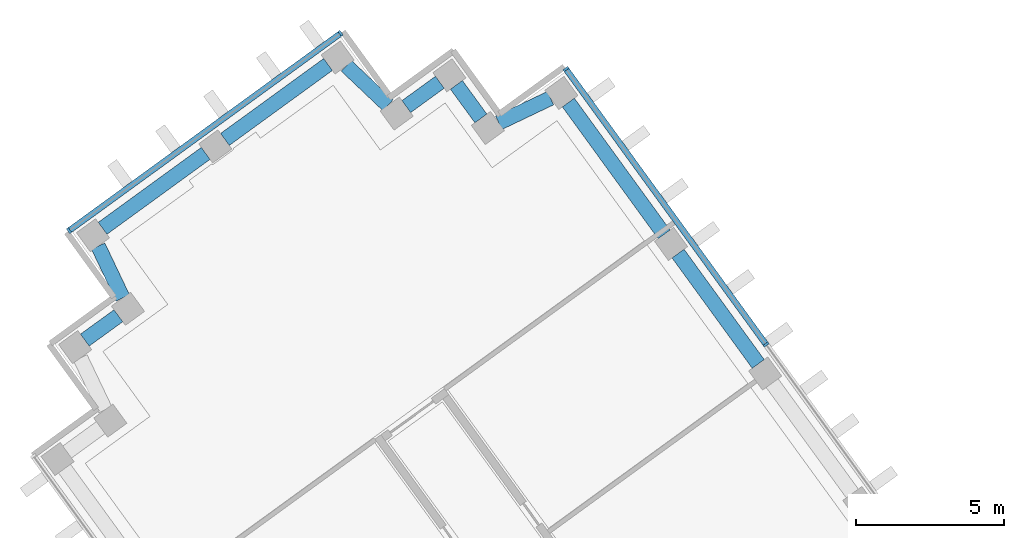
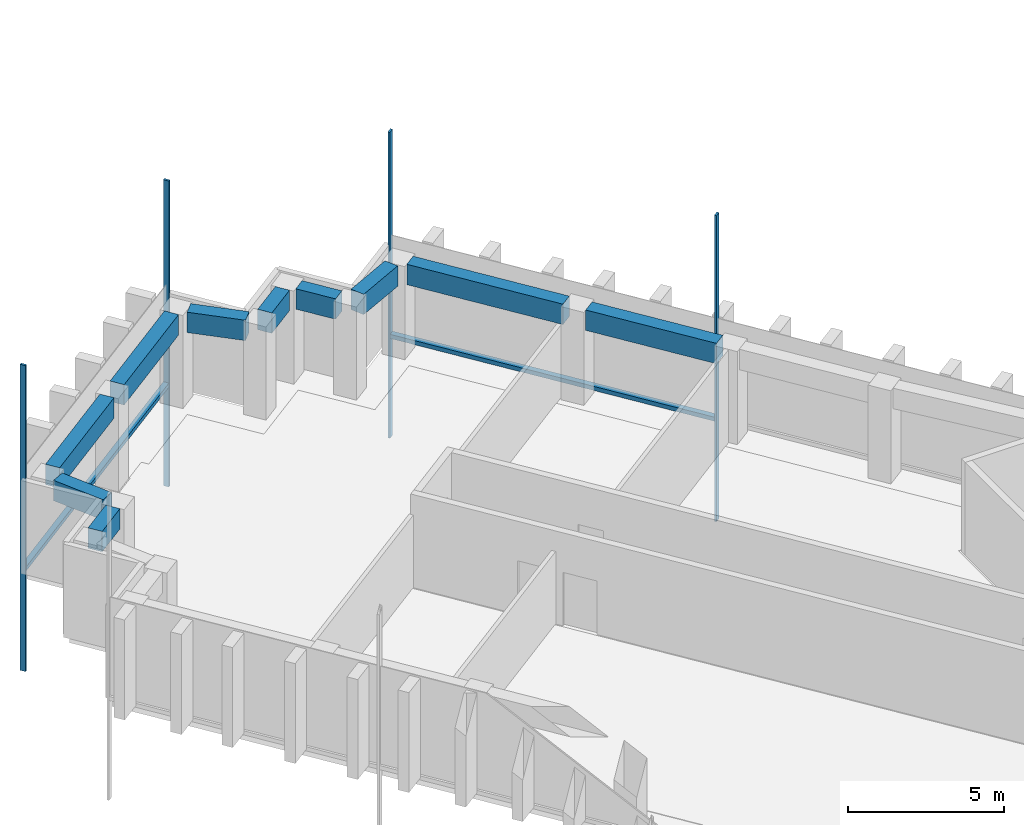
# One storey, part 4 of 12: 10 beams, 6 members, 2 elements without a shape of their own.
"""IFC4 building model written with IfcOpenShell, lengths in metres."""

from ifc_helpers import new_model, si_unit, direction, frame, origin, origin_2d, place, context, subcontext, project, spatial, rectangle, extrude, material, material_profile, profile_set, type_object, element, aggregate, save


model = new_model("IFC4")

# Units and contexts
model_context = context("Model", 3, precision=1e-05, world=origin(), true_north=direction((0.0, 1.0)))
body_context = subcontext(model_context, "Body", "Model", "MODEL_VIEW")
ifc_project = project(units=[si_unit("LENGTHUNIT", "METRE"), si_unit("AREAUNIT", "SQUARE_METRE"), si_unit("VOLUMEUNIT", "CUBIC_METRE"), si_unit("PLANEANGLEUNIT", "RADIAN"), si_unit("MASSUNIT", "GRAM", prefix="KILO")], contexts=[model_context])

# Site, building, storey
site_placement = place(None, origin())
site = spatial("IfcSite", under=ifc_project, at=site_placement, CompositionType="ELEMENT")
building_placement = place(site_placement, origin())
building = spatial("IfcBuilding", under=site, at=building_placement, Name="Quipu Civic Tower", CompositionType="ELEMENT")
storey_placement = place(building_placement, frame((0.0, 0.0, 210.0)))
storey = spatial("IfcBuildingStorey", under=building, at=storey_placement, Name="L49", CompositionType="ELEMENT", Elevation=210.0)

# Curtain wall, members
ifc_material_1 = material(Name="Insulated glass unit", Category="glass")
curtain_wall_type = type_object("IfcCurtainWallType", Name="Office curtain wall CW1", PredefinedType="NOTDEFINED", material=ifc_material_1)
curtain_wall_1_placement = place(storey_placement, origin())
curtain_wall_1 = element("IfcCurtainWall", 1, at=curtain_wall_1_placement, inside=storey, type_object=curtain_wall_type, Name="Office curtain wall CW1 L48 run 8", PredefinedType="NOTDEFINED")
ifc_material_2 = material(Name="Anodised aluminium", Category="aluminium")
ifc_material_profile_1 = material_profile(ifc_material_2, rectangle(XDim=0.199951171875, YDim=0.080078125, at=origin_2d()), Name="RECT 200x80")
ifc_profile_set_1 = profile_set([ifc_material_profile_1], Name="Anodised aluminium")
member_type_1 = type_object("IfcMemberType", Name="Mullion CW1", PredefinedType="MULLION", material=ifc_profile_set_1)
member_1_placement = place(storey_placement, frame((-21.11669921875, 20.421630859375, -3.919921875), z_axis=(0.0, 0.0, 1.0), x_axis=(-0.809014469803, -0.587788727052, 0.0)))
member_1 = element("IfcMember", 2, at=member_1_placement, type_object=member_type_1, Name="CW1 mullion 2", PredefinedType="MULLION", context=body_context, shape_type="SweptSolid", body=[
    extrude(rectangle(XDim=0.199951171875, YDim=0.080078125, at=origin_2d()), origin(), (0.0, 0.0, 1.0), 12.0),
])
member_2_placement = place(storey_placement, frame((-27.865966796875, 29.7109375, -3.919921875), z_axis=(0.0, 0.0, 1.0), x_axis=(-0.809014469803, -0.587788727052, 0.0)))
member_2 = element("IfcMember", 3, at=member_2_placement, type_object=member_type_1, Name="CW1 mullion 3", PredefinedType="MULLION", context=body_context, shape_type="SweptSolid", body=[
    extrude(rectangle(XDim=0.199951171875, YDim=0.080078125, at=origin_2d()), origin(), (0.0, 0.0, 1.0), 12.0),
])

curtain_wall_2_placement = place(storey_placement, origin())
curtain_wall_2 = element("IfcCurtainWall", 4, at=curtain_wall_2_placement, inside=storey, type_object=curtain_wall_type, Name="Office curtain wall CW1 L48 run 13", PredefinedType="NOTDEFINED")
member_3_placement = place(storey_placement, frame((-35.46435546875, 30.914306640625, -3.919921875), z_axis=(0.0, 0.0, 1.0), x_axis=(0.587787753918, -0.809015176832, 0.0)))
member_3 = element("IfcMember", 5, at=member_3_placement, type_object=member_type_1, Name="CW1 mullion 1", PredefinedType="MULLION", context=body_context, shape_type="SweptSolid", body=[
    extrude(rectangle(XDim=0.199951171875, YDim=0.080078125, at=origin_2d()), origin(), (0.0, 0.0, 1.0), 12.0),
])
member_4_placement = place(storey_placement, frame((-44.62255859375, 24.260498046875, -3.919921875), z_axis=(0.0, 0.0, 1.0), x_axis=(0.587787753918, -0.809015176832, 0.0)))
member_4 = element("IfcMember", 6, at=member_4_placement, type_object=member_type_1, Name="CW1 mullion 2", PredefinedType="MULLION", context=body_context, shape_type="SweptSolid", body=[
    extrude(rectangle(XDim=0.199951171875, YDim=0.080078125, at=origin_2d()), origin(), (0.0, 0.0, 1.0), 12.0),
])

# Beams
ifc_material_3 = material(Name="Concrete C50/60", Category="concrete")
ifc_material_profile_2 = material_profile(ifc_material_3, rectangle(XDim=0.5, YDim=0.800048828125, at=origin_2d()), Name="RC500x800")
ifc_profile_set_2 = profile_set([ifc_material_profile_2], Name="Concrete C50/60")
beam_type = type_object("IfcBeamType", Name="Spandrel beam RC 500x800 C50/60", PredefinedType="SPANDREL", material=ifc_profile_set_2)
beam_1_placement = place(storey_placement, frame((-21.382568359375, 19.767333984375, 3.25), z_axis=(-0.587736122681, 0.809052686848, 0.0), x_axis=(-0.809052686848, -0.587736122681, 0.0)))
element("IfcBeam", 7, at=beam_1_placement, inside=storey, type_object=beam_type, Name="Spandrel beam L49 W-IN-02 to W-IN-03", PredefinedType="SPANDREL", context=body_context, shape_type="SweptSolid", body=[
    extrude(rectangle(XDim=0.5, YDim=0.800048828125, at=origin_2d()), origin(), (0.0, 0.0, 1.0), 4.60009765625),
])
beam_2_placement = place(storey_placement, frame((-24.556396484375, 24.13623046875, 3.25), z_axis=(-0.587664254196, 0.809104890815, 0.0), x_axis=(-0.809104890815, -0.587664254196, 0.0)))
element("IfcBeam", 8, at=beam_2_placement, inside=storey, type_object=beam_type, Name="Spandrel beam L49 W-IN-03 to T-Wi.0-W34", PredefinedType="SPANDREL", context=body_context, shape_type="SweptSolid", body=[
    extrude(rectangle(XDim=0.5, YDim=0.800048828125, at=origin_2d()), origin(), (0.0, 0.0, 1.0), 5.493896484375),
])
beam_3_placement = place(storey_placement, frame((-28.38720703125, 28.72998046875, 3.25), z_axis=(-0.902584802379, -0.430512107279, 0.0), x_axis=(0.430512107279, -0.902584802379, 0.0)))
element("IfcBeam", 9, at=beam_3_placement, inside=storey, type_object=beam_type, Name="Spandrel beam L49 T-Wi.0-W34 to T-Wi.1-W34", PredefinedType="SPANDREL", context=body_context, shape_type="SweptSolid", body=[
    extrude(rectangle(XDim=0.5, YDim=0.800048828125, at=origin_2d()), origin(), (0.0, 0.0, 1.0), 1.9326171875),
])
beam_4_placement = place(storey_placement, frame((-30.734375, 28.0458984375, 3.25), z_axis=(-0.589342949835, 0.80788296645, 0.0), x_axis=(-0.80788296645, -0.589342949835, 0.0)))
element("IfcBeam", 10, at=beam_4_placement, inside=storey, type_object=beam_type, Name="Spandrel beam L49 T-Wi.1-W34 to T-Wi.2-W34", PredefinedType="SPANDREL", context=body_context, shape_type="SweptSolid", body=[
    extrude(rectangle(XDim=0.5, YDim=0.800048828125, at=origin_2d()), origin(), (0.0, 0.0, 1.0), 1.39990234375),
])
beam_5_placement = place(storey_placement, frame((-32.118896484375, 29.26513671875, 3.25), z_axis=(-0.80941533633, -0.587236590578, 0.0), x_axis=(0.587236590578, -0.80941533633, 0.0)))
element("IfcBeam", 11, at=beam_5_placement, inside=storey, type_object=beam_type, Name="Spandrel beam L49 T-Wi.2-W34 to T-Wi.3-W34", PredefinedType="SPANDREL", context=body_context, shape_type="SweptSolid", body=[
    extrude(rectangle(XDim=0.5, YDim=0.800048828125, at=origin_2d()), origin(), (0.0, 0.0, 1.0), 1.397705078125),
])
beam_6_placement = place(storey_placement, frame((-33.868896484375, 28.489501953125, 3.25), z_axis=(-0.72519185421, 0.68854685722, 0.0), x_axis=(-0.68854685722, -0.72519185421, 0.0)))
element("IfcBeam", 12, at=beam_6_placement, inside=storey, type_object=beam_type, Name="Spandrel beam L49 T-Wi.3-W34 to T-Wi.4-W34", PredefinedType="SPANDREL", context=body_context, shape_type="SweptSolid", body=[
    extrude(rectangle(XDim=0.5, YDim=0.800048828125, at=origin_2d()), origin(), (0.0, 0.0, 1.0), 1.93212890625),
])
beam_7_placement = place(storey_placement, frame((-35.888671875, 29.86474609375, 3.25), z_axis=(-0.808983997561, -0.58783066583, 0.0), x_axis=(0.58783066583, -0.808983997561, 0.0)))
element("IfcBeam", 13, at=beam_7_placement, inside=storey, type_object=beam_type, Name="Spandrel beam L49 T-Wi.4-W34 to TIP-W-01-W34", PredefinedType="SPANDREL", context=body_context, shape_type="SweptSolid", body=[
    extrude(rectangle(XDim=0.5, YDim=0.800048828125, at=origin_2d()), origin(), (0.0, 0.0, 1.0), 4.2998046875),
])
beam_8_placement = place(storey_placement, frame((-40.014404296875, 26.866943359375, 3.25), z_axis=(-0.808947267178, -0.587881211578, 0.0), x_axis=(0.587881211578, -0.808947267178, 0.0)))
element("IfcBeam", 14, at=beam_8_placement, inside=storey, type_object=beam_type, Name="Spandrel beam L49 TIP-W-01-W34 to T-Wo.0-W34", PredefinedType="SPANDREL", context=body_context, shape_type="SweptSolid", body=[
    extrude(rectangle(XDim=0.5, YDim=0.800048828125, at=origin_2d()), origin(), (0.0, 0.0, 1.0), 4.29833984375),
])
beam_9_placement = place(storey_placement, frame((-43.64013671875, 23.737548828125, 3.25), z_axis=(0.429889421342, -0.902881545618, 0.0), x_axis=(0.902881545618, 0.429889421342, 0.0)))
element("IfcBeam", 15, at=beam_9_placement, inside=storey, type_object=beam_type, Name="Spandrel beam L49 T-Wo.0-W34 to T-Wo.1-W34", PredefinedType="SPANDREL", context=body_context, shape_type="SweptSolid", body=[
    extrude(rectangle(XDim=0.5, YDim=0.800048828125, at=origin_2d()), origin(), (0.0, 0.0, 1.0), 1.931396484375),
])
beam_10_placement = place(storey_placement, frame((-42.958740234375, 21.391357421875, 3.25), z_axis=(-0.809467380413, -0.587164849125, 0.0), x_axis=(0.587164849125, -0.809467380413, 0.0)))
element("IfcBeam", 16, at=beam_10_placement, inside=storey, type_object=beam_type, Name="Spandrel beam L49 T-Wo.1-W34 to T-Wo.2-W34", PredefinedType="SPANDREL", context=body_context, shape_type="SweptSolid", body=[
    extrude(rectangle(XDim=0.5, YDim=0.800048828125, at=origin_2d()), origin(), (0.0, 0.0, 1.0), 1.399169921875),
])

# Member
ifc_material_4 = material(Name="Anodised aluminium", Category="aluminium")
ifc_material_profile_3 = material_profile(ifc_material_4, rectangle(XDim=0.199951171875, YDim=0.159912109375, at=origin_2d()), Name="RECT 200x160")
ifc_profile_set_3 = profile_set([ifc_material_profile_3], Name="Anodised aluminium")
member_type_2 = type_object("IfcMemberType", Name="Transom CW1", PredefinedType="USERDEFINED", material=ifc_profile_set_3)
member_5_placement = place(storey_placement, frame((-21.140380859375, 20.453857421875, 0.080078125), z_axis=(-0.587775682251, 0.809023947331, 0.0), x_axis=(-0.809023947331, -0.587775682251, 0.0)))
member_5 = element("IfcMember", 17, at=member_5_placement, type_object=member_type_2, Name="CW1 transom 2.2", ObjectType="TRANSOM", PredefinedType="USERDEFINED", context=body_context, shape_type="SweptSolid", body=[
    extrude(rectangle(XDim=0.199951171875, YDim=0.159912109375, at=origin_2d()), origin(), (0.0, 0.0, 1.0), 11.402099609375),
])

aggregate(curtain_wall_1, [member_1, member_2, member_5])

member_6_placement = place(storey_placement, frame((-35.496826171875, 30.890869140625, 0.080078125), z_axis=(-0.809014959561, -0.587788052963, 0.0), x_axis=(0.587788052963, -0.809014959561, 0.0)))
member_6 = element("IfcMember", 18, at=member_6_placement, type_object=member_type_2, Name="CW1 transom 1.2", ObjectType="TRANSOM", PredefinedType="USERDEFINED", context=body_context, shape_type="SweptSolid", body=[
    extrude(rectangle(XDim=0.199951171875, YDim=0.159912109375, at=origin_2d()), origin(), (0.0, 0.0, 1.0), 11.239990234375),
])

aggregate(curtain_wall_2, [member_3, member_4, member_6])

save(model, "model.ifc")
